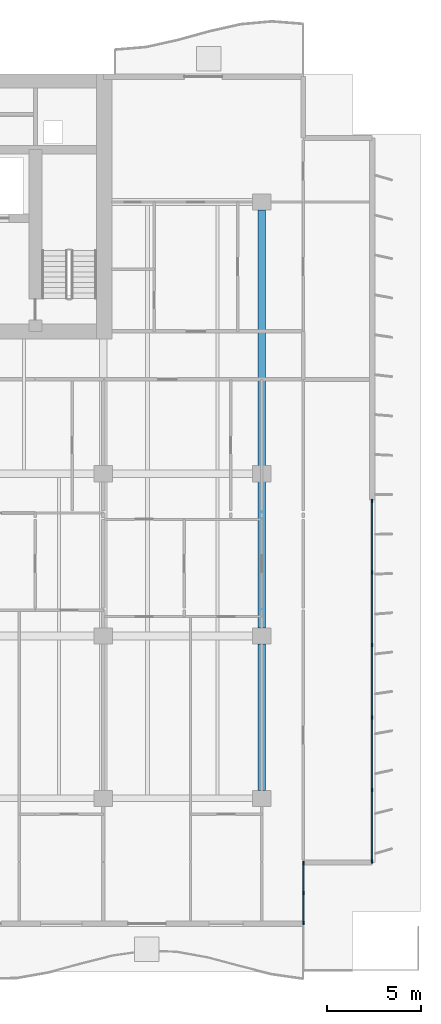
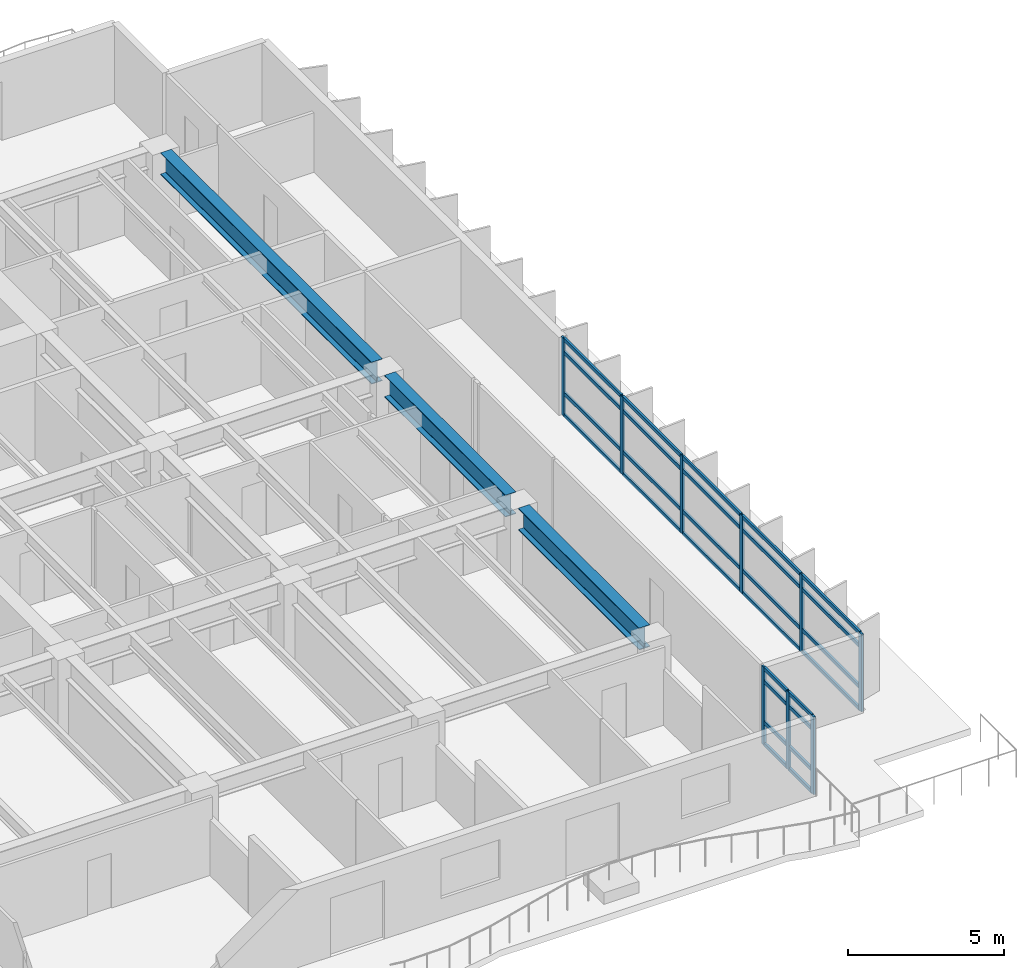
# One storey, part 4 of 17: 37 members, 3 beams, 2 elements without a shape of their own.
"""IFC4 building model written with IfcOpenShell, lengths in metres."""

from ifc_helpers import new_model, si_unit, direction, frame, origin, origin_2d, place, context, subcontext, project, spatial, rectangle, i_section, extrude, material, layer, layer_set, material_profile, profile_set, type_object, element, aggregate, save


model = new_model("IFC4")

# Units and contexts
model_context = context("Model", 3, precision=1e-05, world=origin(), true_north=direction((0.0, 1.0)))
body_context = subcontext(model_context, "Body", "Model", "MODEL_VIEW")
ifc_project = project(units=[si_unit("LENGTHUNIT", "METRE"), si_unit("AREAUNIT", "SQUARE_METRE"), si_unit("VOLUMEUNIT", "CUBIC_METRE"), si_unit("PLANEANGLEUNIT", "RADIAN"), si_unit("MASSUNIT", "GRAM", prefix="KILO")], contexts=[model_context])

# Site, building, storey
site_placement = place(None, origin())
site = spatial("IfcSite", under=ifc_project, at=site_placement, CompositionType="ELEMENT")
building_placement = place(site_placement, origin())
building = spatial("IfcBuilding", under=site, at=building_placement, Name="Caelmar Bay Residences", CompositionType="ELEMENT")
storey_placement = place(building_placement, frame((0.0, 0.0, 84.60009765625)))
storey = spatial("IfcBuildingStorey", under=building, at=storey_placement, Name="L22", CompositionType="ELEMENT", Elevation=84.60009765625)

# Beams
ifc_material_1 = material(Name="Steel ASTM A992 Grade 50", Category="steel")
ifc_material_profile_1 = material_profile(ifc_material_1, i_section(OverallWidth=0.40087890625, OverallDepth=0.861083984375, WebThickness=0.019775390625, FlangeThickness=0.032470703125, FilletRadius=0.017822265625, at=origin_2d()), Name="W33X221")
ifc_profile_set_1 = profile_set([ifc_material_profile_1], Name="Steel ASTM A992 Grade 50")
beam_type = type_object("IfcBeamType", Name="BM-GRD-W33X221", PredefinedType="BEAM", material=ifc_profile_set_1)
for number, where, z_axis, x_axis, name in (
    (1, (67.89990234375, 12.614990234375, 2.619384765625), (0.0, 1.0, 0.0), (-1.0, 0.0, 0.0), "L22 North-South Girder X=67.90 (12.2-20.8)"),
    (2, (67.89990234375, 21.215087890625, 2.619384765625), (0.0, 1.0, 0.0), (-1.0, 0.0, 0.0), "L22 North-South Girder X=67.90 (20.8-29.4)"),
):
    element("IfcBeam", number, at=place(storey_placement, frame(where, z_axis=z_axis, x_axis=x_axis)), inside=storey, type_object=beam_type, Name=name, PredefinedType="BEAM", context=body_context, shape_type="SweptSolid", body=[
        extrude(i_section(OverallWidth=0.40087890625, OverallDepth=0.861083984375, WebThickness=0.019775390625, FlangeThickness=0.032470703125, FilletRadius=0.017822265625, at=origin_2d()), origin(), (0.0, 0.0, 1.0), 7.77001953125),
    ])
beam_placement = place(storey_placement, frame((67.89990234375, 29.81494140625, 2.619384765625), z_axis=(0.0, 1.0, 0.0), x_axis=(-1.0, 0.0, 0.0)))
element("IfcBeam", 3, at=beam_placement, inside=storey, type_object=beam_type, Name="L22 North-South Girder X=67.90 (29.4-43.8)", PredefinedType="BEAM", context=body_context, shape_type="SweptSolid", body=[
    extrude(i_section(OverallWidth=0.40087890625, OverallDepth=0.861083984375, WebThickness=0.019775390625, FlangeThickness=0.032470703125, FilletRadius=0.017822265625, at=origin_2d()), origin(), (0.0, 0.0, 1.0), 13.570068359375),
])

# Curtain wall, members
ifc_material_2 = material(Name="Anodised bronze aluminium 6063-T6 and laminated glass", Category="aluminium")
ifc_layer_1 = layer(ifc_material_2, 0.179931640625)
ifc_layer_set_1 = layer_set([ifc_layer_1], Name="Anodised bronze aluminium 6063-T6 and laminated glass")
curtain_wall_type_1 = type_object("IfcCurtainWallType", Name="CW6-NTC", PredefinedType="NOTDEFINED", material=ifc_layer_set_1)
curtain_wall_1_placement = place(storey_placement, origin())
curtain_wall_1 = element("IfcCurtainWall", 4, at=curtain_wall_1_placement, inside=storey, type_object=curtain_wall_type_1, Name="CW6 curtain wall L22", PredefinedType="NOTDEFINED")
ifc_material_3 = material(Name="Anodised bronze aluminium 6063-T6", Category="aluminium")
ifc_material_profile_2 = material_profile(ifc_material_3, rectangle(XDim=0.080078125, YDim=0.179931640625, at=origin_2d()), Name="CWM-80X180")
ifc_profile_set_2 = profile_set([ifc_material_profile_2], Name="Anodised bronze aluminium 6063-T6")
member_type_1 = type_object("IfcMemberType", Name="CWM-180", PredefinedType="MULLION", material=ifc_profile_set_2)
member_1_placement = place(storey_placement, frame((70.10009765625, 5.590087890625, 0.0), z_axis=(0.0, 0.0, 1.0), x_axis=(-1.0, 0.0, 0.0)))
member_1 = element("IfcMember", 5, at=member_1_placement, type_object=member_type_1, Name="CW6 mullion 1", PredefinedType="MULLION", context=body_context, shape_type="SweptSolid", body=[
    extrude(rectangle(XDim=0.080078125, YDim=0.179931640625, at=origin_2d()), origin(), (0.0, 0.0, 1.0), 3.0498046875),
])
member_2_placement = place(storey_placement, frame((70.10009765625, 7.175048828125, 0.0), z_axis=(0.0, 0.0, 1.0), x_axis=(-1.0, 0.0, 0.0)))
member_2 = element("IfcMember", 6, at=member_2_placement, type_object=member_type_1, Name="CW6 mullion 2", PredefinedType="MULLION", context=body_context, shape_type="SweptSolid", body=[
    extrude(rectangle(XDim=0.080078125, YDim=0.179931640625, at=origin_2d()), origin(), (0.0, 0.0, 1.0), 3.0498046875),
])
member_3_placement = place(storey_placement, frame((70.10009765625, 8.760009765625, 0.0), z_axis=(0.0, 0.0, 1.0), x_axis=(-1.0, 0.0, 0.0)))
member_3 = element("IfcMember", 7, at=member_3_placement, type_object=member_type_1, Name="CW6 mullion 3", PredefinedType="MULLION", context=body_context, shape_type="SweptSolid", body=[
    extrude(rectangle(XDim=0.080078125, YDim=0.179931640625, at=origin_2d()), origin(), (0.0, 0.0, 1.0), 3.0498046875),
])

ifc_layer_2 = layer(ifc_material_2, 0.179931640625)
ifc_layer_set_2 = layer_set([ifc_layer_2], Name="Anodised bronze aluminium 6063-T6 and laminated glass")
curtain_wall_type_2 = type_object("IfcCurtainWallType", Name="CW3-Z2", PredefinedType="NOTDEFINED", material=ifc_layer_set_2)
curtain_wall_2_placement = place(storey_placement, origin())
curtain_wall_2 = element("IfcCurtainWall", 8, at=curtain_wall_2_placement, inside=storey, type_object=curtain_wall_type_2, Name="CW3 curtain wall L22", PredefinedType="NOTDEFINED")
member_4_placement = place(storey_placement, frame((73.75, 27.9599609375, 0.0), z_axis=(0.0, 0.0, 1.0), x_axis=(1.0, 0.0, 0.0)))
member_4 = element("IfcMember", 9, at=member_4_placement, type_object=member_type_1, Name="CW3 mullion 1", PredefinedType="MULLION", context=body_context, shape_type="SweptSolid", body=[
    extrude(rectangle(XDim=0.080078125, YDim=0.179931640625, at=origin_2d()), origin(), (0.0, 0.0, 1.0), 3.0498046875),
])
member_5_placement = place(storey_placement, frame((73.75, 24.159912109375, 0.0), z_axis=(0.0, 0.0, 1.0), x_axis=(1.0, 0.0, 0.0)))
member_5 = element("IfcMember", 10, at=member_5_placement, type_object=member_type_1, Name="CW3 mullion 2", PredefinedType="MULLION", context=body_context, shape_type="SweptSolid", body=[
    extrude(rectangle(XDim=0.080078125, YDim=0.179931640625, at=origin_2d()), origin(), (0.0, 0.0, 1.0), 3.0498046875),
])
member_6_placement = place(storey_placement, frame((73.75, 20.320068359375, 0.0), z_axis=(0.0, 0.0, 1.0), x_axis=(1.0, 0.0, 0.0)))
member_6 = element("IfcMember", 11, at=member_6_placement, type_object=member_type_1, Name="CW3 mullion 3", PredefinedType="MULLION", context=body_context, shape_type="SweptSolid", body=[
    extrude(rectangle(XDim=0.080078125, YDim=0.179931640625, at=origin_2d()), origin(), (0.0, 0.0, 1.0), 3.0498046875),
])
member_7_placement = place(storey_placement, frame((73.75, 16.47998046875, 0.0), z_axis=(0.0, 0.0, 1.0), x_axis=(1.0, 0.0, 0.0)))
member_7 = element("IfcMember", 12, at=member_7_placement, type_object=member_type_1, Name="CW3 mullion 4", PredefinedType="MULLION", context=body_context, shape_type="SweptSolid", body=[
    extrude(rectangle(XDim=0.080078125, YDim=0.179931640625, at=origin_2d()), origin(), (0.0, 0.0, 1.0), 3.0498046875),
])
member_8_placement = place(storey_placement, frame((73.75, 12.639892578125, 0.0), z_axis=(0.0, 0.0, 1.0), x_axis=(1.0, 0.0, 0.0)))
member_8 = element("IfcMember", 13, at=member_8_placement, type_object=member_type_1, Name="CW3 mullion 5", PredefinedType="MULLION", context=body_context, shape_type="SweptSolid", body=[
    extrude(rectangle(XDim=0.080078125, YDim=0.179931640625, at=origin_2d()), origin(), (0.0, 0.0, 1.0), 3.0498046875),
])
member_9_placement = place(storey_placement, frame((73.75, 8.840087890625, 0.0), z_axis=(0.0, 0.0, 1.0), x_axis=(1.0, 0.0, 0.0)))
member_9 = element("IfcMember", 14, at=member_9_placement, type_object=member_type_1, Name="CW3 mullion 6", PredefinedType="MULLION", context=body_context, shape_type="SweptSolid", body=[
    extrude(rectangle(XDim=0.080078125, YDim=0.179931640625, at=origin_2d()), origin(), (0.0, 0.0, 1.0), 3.0498046875),
])

# Member
ifc_material_profile_3 = material_profile(ifc_material_3, rectangle(XDim=0.080078125, YDim=0.139892578125, at=origin_2d()), Name="CWT-80X140")
ifc_profile_set_3 = profile_set([ifc_material_profile_3], Name="Anodised bronze aluminium 6063-T6")
member_type_2 = type_object("IfcMemberType", Name="CWT-140", PredefinedType="NOTDEFINED", material=ifc_profile_set_3)
member_10_placement = place(storey_placement, frame((70.10009765625, 5.6298828125, 0.039794921875), z_axis=(0.0, 1.0, 0.0), x_axis=(-1.0, 0.0, 0.0)))
member_10 = element("IfcMember", 15, at=member_10_placement, type_object=member_type_2, Name="CW6 transom 1.1", ObjectType="TRANSOM", PredefinedType="USERDEFINED", context=body_context, shape_type="SweptSolid", body=[
    extrude(rectangle(XDim=0.080078125, YDim=0.139892578125, at=origin_2d()), origin(), (0.0, 0.0, 1.0), 1.505126953125),
])

member_11_placement = place(storey_placement, frame((70.10009765625, 5.6298828125, 0.89990234375), z_axis=(0.0, 1.0, 0.0), x_axis=(-1.0, 0.0, 0.0)))
member_11 = element("IfcMember", 16, at=member_11_placement, type_object=member_type_2, Name="CW6 transom 1.2", ObjectType="TRANSOM", PredefinedType="USERDEFINED", context=body_context, shape_type="SweptSolid", body=[
    extrude(rectangle(XDim=0.080078125, YDim=0.139892578125, at=origin_2d()), origin(), (0.0, 0.0, 1.0), 1.505126953125),
])

member_12_placement = place(storey_placement, frame((70.10009765625, 5.6298828125, 2.5), z_axis=(0.0, 1.0, 0.0), x_axis=(-1.0, 0.0, 0.0)))
member_12 = element("IfcMember", 17, at=member_12_placement, type_object=member_type_2, Name="CW6 transom 1.3", ObjectType="TRANSOM", PredefinedType="USERDEFINED", context=body_context, shape_type="SweptSolid", body=[
    extrude(rectangle(XDim=0.080078125, YDim=0.139892578125, at=origin_2d()), origin(), (0.0, 0.0, 1.0), 1.505126953125),
])

member_13_placement = place(storey_placement, frame((70.10009765625, 5.6298828125, 3.010009765625), z_axis=(0.0, 1.0, 0.0), x_axis=(-1.0, 0.0, 0.0)))
member_13 = element("IfcMember", 18, at=member_13_placement, type_object=member_type_2, Name="CW6 transom 1.4", ObjectType="TRANSOM", PredefinedType="USERDEFINED", context=body_context, shape_type="SweptSolid", body=[
    extrude(rectangle(XDim=0.080078125, YDim=0.139892578125, at=origin_2d()), origin(), (0.0, 0.0, 1.0), 1.505126953125),
])

member_14_placement = place(storey_placement, frame((70.10009765625, 7.215087890625, 0.039794921875), z_axis=(0.0, 1.0, 0.0), x_axis=(-1.0, 0.0, 0.0)))
member_14 = element("IfcMember", 19, at=member_14_placement, type_object=member_type_2, Name="CW6 transom 2.1", ObjectType="TRANSOM", PredefinedType="USERDEFINED", context=body_context, shape_type="SweptSolid", body=[
    extrude(rectangle(XDim=0.080078125, YDim=0.139892578125, at=origin_2d()), origin(), (0.0, 0.0, 1.0), 1.5048828125),
])

member_15_placement = place(storey_placement, frame((70.10009765625, 7.215087890625, 0.89990234375), z_axis=(0.0, 1.0, 0.0), x_axis=(-1.0, 0.0, 0.0)))
member_15 = element("IfcMember", 20, at=member_15_placement, type_object=member_type_2, Name="CW6 transom 2.2", ObjectType="TRANSOM", PredefinedType="USERDEFINED", context=body_context, shape_type="SweptSolid", body=[
    extrude(rectangle(XDim=0.080078125, YDim=0.139892578125, at=origin_2d()), origin(), (0.0, 0.0, 1.0), 1.5048828125),
])

member_16_placement = place(storey_placement, frame((70.10009765625, 7.215087890625, 2.5), z_axis=(0.0, 1.0, 0.0), x_axis=(-1.0, 0.0, 0.0)))
member_16 = element("IfcMember", 21, at=member_16_placement, type_object=member_type_2, Name="CW6 transom 2.3", ObjectType="TRANSOM", PredefinedType="USERDEFINED", context=body_context, shape_type="SweptSolid", body=[
    extrude(rectangle(XDim=0.080078125, YDim=0.139892578125, at=origin_2d()), origin(), (0.0, 0.0, 1.0), 1.5048828125),
])

member_17_placement = place(storey_placement, frame((70.10009765625, 7.215087890625, 3.010009765625), z_axis=(0.0, 1.0, 0.0), x_axis=(-1.0, 0.0, 0.0)))
member_17 = element("IfcMember", 22, at=member_17_placement, type_object=member_type_2, Name="CW6 transom 2.4", ObjectType="TRANSOM", PredefinedType="USERDEFINED", context=body_context, shape_type="SweptSolid", body=[
    extrude(rectangle(XDim=0.080078125, YDim=0.139892578125, at=origin_2d()), origin(), (0.0, 0.0, 1.0), 1.5048828125),
])

aggregate(curtain_wall_1, [member_1, member_2, member_3, member_10, member_11, member_12, member_13, member_14, member_15, member_16, member_17])

member_18_placement = place(storey_placement, frame((73.75, 27.919921875, 0.039794921875), z_axis=(0.0, -1.0, 0.0), x_axis=(1.0, 0.0, 0.0)))
member_18 = element("IfcMember", 23, at=member_18_placement, type_object=member_type_2, Name="CW3 transom 1.1", ObjectType="TRANSOM", PredefinedType="USERDEFINED", context=body_context, shape_type="SweptSolid", body=[
    extrude(rectangle(XDim=0.080078125, YDim=0.139892578125, at=origin_2d()), origin(), (0.0, 0.0, 1.0), 3.719970703125),
])

member_19_placement = place(storey_placement, frame((73.75, 27.919921875, 0.89990234375), z_axis=(0.0, -1.0, 0.0), x_axis=(1.0, 0.0, 0.0)))
member_19 = element("IfcMember", 24, at=member_19_placement, type_object=member_type_2, Name="CW3 transom 1.2", ObjectType="TRANSOM", PredefinedType="USERDEFINED", context=body_context, shape_type="SweptSolid", body=[
    extrude(rectangle(XDim=0.080078125, YDim=0.139892578125, at=origin_2d()), origin(), (0.0, 0.0, 1.0), 3.719970703125),
])

member_20_placement = place(storey_placement, frame((73.75, 27.919921875, 2.5), z_axis=(0.0, -1.0, 0.0), x_axis=(1.0, 0.0, 0.0)))
member_20 = element("IfcMember", 25, at=member_20_placement, type_object=member_type_2, Name="CW3 transom 1.3", ObjectType="TRANSOM", PredefinedType="USERDEFINED", context=body_context, shape_type="SweptSolid", body=[
    extrude(rectangle(XDim=0.080078125, YDim=0.139892578125, at=origin_2d()), origin(), (0.0, 0.0, 1.0), 3.719970703125),
])

member_21_placement = place(storey_placement, frame((73.75, 27.919921875, 3.010009765625), z_axis=(0.0, -1.0, 0.0), x_axis=(1.0, 0.0, 0.0)))
member_21 = element("IfcMember", 26, at=member_21_placement, type_object=member_type_2, Name="CW3 transom 1.4", ObjectType="TRANSOM", PredefinedType="USERDEFINED", context=body_context, shape_type="SweptSolid", body=[
    extrude(rectangle(XDim=0.080078125, YDim=0.139892578125, at=origin_2d()), origin(), (0.0, 0.0, 1.0), 3.719970703125),
])

member_22_placement = place(storey_placement, frame((73.75, 24.1201171875, 0.039794921875), z_axis=(0.0, -1.0, 0.0), x_axis=(1.0, 0.0, 0.0)))
member_22 = element("IfcMember", 27, at=member_22_placement, type_object=member_type_2, Name="CW3 transom 2.1", ObjectType="TRANSOM", PredefinedType="USERDEFINED", context=body_context, shape_type="SweptSolid", body=[
    extrude(rectangle(XDim=0.080078125, YDim=0.139892578125, at=origin_2d()), origin(), (0.0, 0.0, 1.0), 3.760009765625),
])

member_23_placement = place(storey_placement, frame((73.75, 24.1201171875, 0.89990234375), z_axis=(0.0, -1.0, 0.0), x_axis=(1.0, 0.0, 0.0)))
member_23 = element("IfcMember", 28, at=member_23_placement, type_object=member_type_2, Name="CW3 transom 2.2", ObjectType="TRANSOM", PredefinedType="USERDEFINED", context=body_context, shape_type="SweptSolid", body=[
    extrude(rectangle(XDim=0.080078125, YDim=0.139892578125, at=origin_2d()), origin(), (0.0, 0.0, 1.0), 3.760009765625),
])

member_24_placement = place(storey_placement, frame((73.75, 24.1201171875, 2.5), z_axis=(0.0, -1.0, 0.0), x_axis=(1.0, 0.0, 0.0)))
member_24 = element("IfcMember", 29, at=member_24_placement, type_object=member_type_2, Name="CW3 transom 2.3", ObjectType="TRANSOM", PredefinedType="USERDEFINED", context=body_context, shape_type="SweptSolid", body=[
    extrude(rectangle(XDim=0.080078125, YDim=0.139892578125, at=origin_2d()), origin(), (0.0, 0.0, 1.0), 3.760009765625),
])

member_25_placement = place(storey_placement, frame((73.75, 24.1201171875, 3.010009765625), z_axis=(0.0, -1.0, 0.0), x_axis=(1.0, 0.0, 0.0)))
member_25 = element("IfcMember", 30, at=member_25_placement, type_object=member_type_2, Name="CW3 transom 2.4", ObjectType="TRANSOM", PredefinedType="USERDEFINED", context=body_context, shape_type="SweptSolid", body=[
    extrude(rectangle(XDim=0.080078125, YDim=0.139892578125, at=origin_2d()), origin(), (0.0, 0.0, 1.0), 3.760009765625),
])

member_26_placement = place(storey_placement, frame((73.75, 20.280029296875, 0.039794921875), z_axis=(0.0, -1.0, 0.0), x_axis=(1.0, 0.0, 0.0)))
member_26 = element("IfcMember", 31, at=member_26_placement, type_object=member_type_2, Name="CW3 transom 3.1", ObjectType="TRANSOM", PredefinedType="USERDEFINED", context=body_context, shape_type="SweptSolid", body=[
    extrude(rectangle(XDim=0.080078125, YDim=0.139892578125, at=origin_2d()), origin(), (0.0, 0.0, 1.0), 3.760009765625),
])

member_27_placement = place(storey_placement, frame((73.75, 20.280029296875, 0.89990234375), z_axis=(0.0, -1.0, 0.0), x_axis=(1.0, 0.0, 0.0)))
member_27 = element("IfcMember", 32, at=member_27_placement, type_object=member_type_2, Name="CW3 transom 3.2", ObjectType="TRANSOM", PredefinedType="USERDEFINED", context=body_context, shape_type="SweptSolid", body=[
    extrude(rectangle(XDim=0.080078125, YDim=0.139892578125, at=origin_2d()), origin(), (0.0, 0.0, 1.0), 3.760009765625),
])

member_28_placement = place(storey_placement, frame((73.75, 20.280029296875, 2.5), z_axis=(0.0, -1.0, 0.0), x_axis=(1.0, 0.0, 0.0)))
member_28 = element("IfcMember", 33, at=member_28_placement, type_object=member_type_2, Name="CW3 transom 3.3", ObjectType="TRANSOM", PredefinedType="USERDEFINED", context=body_context, shape_type="SweptSolid", body=[
    extrude(rectangle(XDim=0.080078125, YDim=0.139892578125, at=origin_2d()), origin(), (0.0, 0.0, 1.0), 3.760009765625),
])

member_29_placement = place(storey_placement, frame((73.75, 20.280029296875, 3.010009765625), z_axis=(0.0, -1.0, 0.0), x_axis=(1.0, 0.0, 0.0)))
member_29 = element("IfcMember", 34, at=member_29_placement, type_object=member_type_2, Name="CW3 transom 3.4", ObjectType="TRANSOM", PredefinedType="USERDEFINED", context=body_context, shape_type="SweptSolid", body=[
    extrude(rectangle(XDim=0.080078125, YDim=0.139892578125, at=origin_2d()), origin(), (0.0, 0.0, 1.0), 3.760009765625),
])

member_30_placement = place(storey_placement, frame((73.75, 16.43994140625, 0.039794921875), z_axis=(0.0, -1.0, 0.0), x_axis=(1.0, 0.0, 0.0)))
member_30 = element("IfcMember", 35, at=member_30_placement, type_object=member_type_2, Name="CW3 transom 4.1", ObjectType="TRANSOM", PredefinedType="USERDEFINED", context=body_context, shape_type="SweptSolid", body=[
    extrude(rectangle(XDim=0.080078125, YDim=0.139892578125, at=origin_2d()), origin(), (0.0, 0.0, 1.0), 3.760009765625),
])

member_31_placement = place(storey_placement, frame((73.75, 16.43994140625, 0.89990234375), z_axis=(0.0, -1.0, 0.0), x_axis=(1.0, 0.0, 0.0)))
member_31 = element("IfcMember", 36, at=member_31_placement, type_object=member_type_2, Name="CW3 transom 4.2", ObjectType="TRANSOM", PredefinedType="USERDEFINED", context=body_context, shape_type="SweptSolid", body=[
    extrude(rectangle(XDim=0.080078125, YDim=0.139892578125, at=origin_2d()), origin(), (0.0, 0.0, 1.0), 3.760009765625),
])

member_32_placement = place(storey_placement, frame((73.75, 16.43994140625, 2.5), z_axis=(0.0, -1.0, 0.0), x_axis=(1.0, 0.0, 0.0)))
member_32 = element("IfcMember", 37, at=member_32_placement, type_object=member_type_2, Name="CW3 transom 4.3", ObjectType="TRANSOM", PredefinedType="USERDEFINED", context=body_context, shape_type="SweptSolid", body=[
    extrude(rectangle(XDim=0.080078125, YDim=0.139892578125, at=origin_2d()), origin(), (0.0, 0.0, 1.0), 3.760009765625),
])

member_33_placement = place(storey_placement, frame((73.75, 16.43994140625, 3.010009765625), z_axis=(0.0, -1.0, 0.0), x_axis=(1.0, 0.0, 0.0)))
member_33 = element("IfcMember", 38, at=member_33_placement, type_object=member_type_2, Name="CW3 transom 4.4", ObjectType="TRANSOM", PredefinedType="USERDEFINED", context=body_context, shape_type="SweptSolid", body=[
    extrude(rectangle(XDim=0.080078125, YDim=0.139892578125, at=origin_2d()), origin(), (0.0, 0.0, 1.0), 3.760009765625),
])

member_34_placement = place(storey_placement, frame((73.75, 12.60009765625, 0.039794921875), z_axis=(0.0, -1.0, 0.0), x_axis=(1.0, 0.0, 0.0)))
member_34 = element("IfcMember", 39, at=member_34_placement, type_object=member_type_2, Name="CW3 transom 5.1", ObjectType="TRANSOM", PredefinedType="USERDEFINED", context=body_context, shape_type="SweptSolid", body=[
    extrude(rectangle(XDim=0.080078125, YDim=0.139892578125, at=origin_2d()), origin(), (0.0, 0.0, 1.0), 3.72021484375),
])

member_35_placement = place(storey_placement, frame((73.75, 12.60009765625, 0.89990234375), z_axis=(0.0, -1.0, 0.0), x_axis=(1.0, 0.0, 0.0)))
member_35 = element("IfcMember", 40, at=member_35_placement, type_object=member_type_2, Name="CW3 transom 5.2", ObjectType="TRANSOM", PredefinedType="USERDEFINED", context=body_context, shape_type="SweptSolid", body=[
    extrude(rectangle(XDim=0.080078125, YDim=0.139892578125, at=origin_2d()), origin(), (0.0, 0.0, 1.0), 3.72021484375),
])

member_36_placement = place(storey_placement, frame((73.75, 12.60009765625, 2.5), z_axis=(0.0, -1.0, 0.0), x_axis=(1.0, 0.0, 0.0)))
member_36 = element("IfcMember", 41, at=member_36_placement, type_object=member_type_2, Name="CW3 transom 5.3", ObjectType="TRANSOM", PredefinedType="USERDEFINED", context=body_context, shape_type="SweptSolid", body=[
    extrude(rectangle(XDim=0.080078125, YDim=0.139892578125, at=origin_2d()), origin(), (0.0, 0.0, 1.0), 3.72021484375),
])

member_37_placement = place(storey_placement, frame((73.75, 12.60009765625, 3.010009765625), z_axis=(0.0, -1.0, 0.0), x_axis=(1.0, 0.0, 0.0)))
member_37 = element("IfcMember", 42, at=member_37_placement, type_object=member_type_2, Name="CW3 transom 5.4", ObjectType="TRANSOM", PredefinedType="USERDEFINED", context=body_context, shape_type="SweptSolid", body=[
    extrude(rectangle(XDim=0.080078125, YDim=0.139892578125, at=origin_2d()), origin(), (0.0, 0.0, 1.0), 3.72021484375),
])

aggregate(curtain_wall_2, [member_4, member_5, member_6, member_7, member_8, member_9, member_18, member_19, member_20, member_21, member_22, member_23, member_24, member_25, member_26, member_27, member_28, member_29, member_30, member_31, member_32, member_33, member_34, member_35, member_36, member_37])

save(model, "model.ifc")
